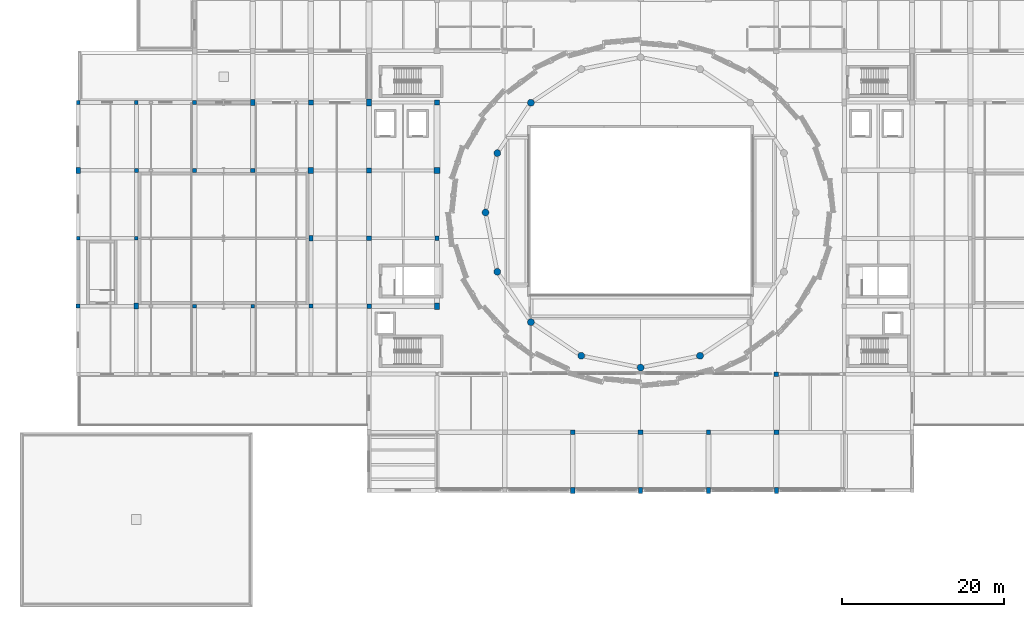
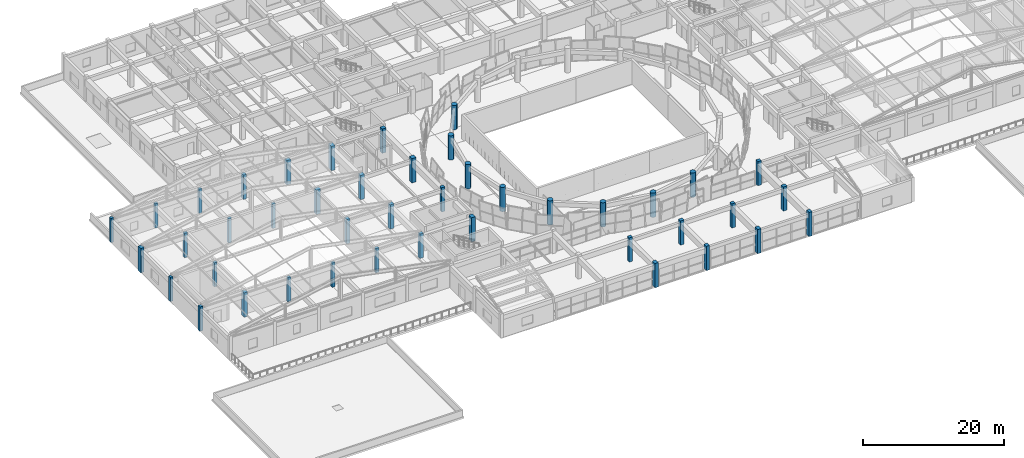
# One storey, part 3 of 74: 43 columns.
"""IFC4 building model written with IfcOpenShell, lengths in metres."""

from ifc_helpers import new_model, si_unit, direction, frame, origin, origin_2d, place, context, subcontext, project, spatial, rectangle, circle, extrude, material, material_profile, profile_set, type_object, element, save


model = new_model("IFC4")

# Units and contexts
model_context = context("Model", 3, precision=1e-05, world=origin(), true_north=direction((0.0, 1.0)))
body_context = subcontext(model_context, "Body", "Model", "MODEL_VIEW")
ifc_project = project(units=[si_unit("LENGTHUNIT", "METRE"), si_unit("AREAUNIT", "SQUARE_METRE"), si_unit("VOLUMEUNIT", "CUBIC_METRE"), si_unit("PLANEANGLEUNIT", "RADIAN"), si_unit("MASSUNIT", "GRAM", prefix="KILO")], contexts=[model_context])

# Site, building, storey
site_placement = place(None, origin())
site = spatial("IfcSite", under=ifc_project, at=site_placement, CompositionType="ELEMENT")
building_placement = place(site_placement, origin())
building = spatial("IfcBuilding", under=site, at=building_placement, Name="Korsvaeld Concert Hall", CompositionType="ELEMENT")
storey_placement = place(building_placement, frame((0.0, 0.0, 9.0)))
storey = spatial("IfcBuildingStorey", under=building, at=storey_placement, Name="L02", CompositionType="ELEMENT", Elevation=9.0)

# Columns
ifc_material = material(Name="Concrete C40/50", Category="concrete")
ifc_material_profile_1 = material_profile(ifc_material, circle(Radius=0.425048828125, at=origin_2d()), Name="RC D850")
ifc_profile_set_1 = profile_set([ifc_material_profile_1], Name="Concrete C40/50")
column_type_1 = type_object("IfcColumnType", Name="COL-DRUM-D850", PredefinedType="COLUMN", material=ifc_profile_set_1)
for number, where, z_axis, x_axis, name in (
    (1, (70.423583984375, 76.776611328125, 0.0), (0.0, 0.0, 1.0), (1.0, 0.0, 0.0), "Drum column D07 L02"),
    (2, (66.261474609375, 70.547607421875, 0.0), (0.0, 0.0, 1.0), (1.0, 0.0, 0.0), "Drum column D08 L02"),
    (3, (64.800048828125, 63.199951171875, 0.0), (0.0, 0.0, 1.0), (1.0, 0.0, 0.0), "Drum column D09 L02"),
    (4, (66.261474609375, 55.8525390625, 0.0), (0.0, 0.0, 1.0), (1.0, 0.0, 0.0), "Drum column D10 L02"),
    (5, (70.423583984375, 49.62353515625, 0.0), (0.0, 0.0, 1.0), (1.0, 0.0, 0.0), "Drum column D11 L02"),
    (6, (76.652587890625, 45.46142578125, 0.0), (0.0, 0.0, 1.0), (1.0, 0.0, 0.0), "Drum column D12 L02"),
    (7, (84.0, 44.0, 0.0), (0.0, 0.0, 1.0), (1.0, 0.0, 0.0), "Drum column D13 L02"),
    (8, (91.347412109375, 45.46142578125, 0.0), (0.0, 0.0, 1.0), (1.0, 0.0, 0.0), "Drum column D14 L02"),
):
    element("IfcColumn", number, at=place(storey_placement, frame(where, z_axis=z_axis, x_axis=x_axis)), inside=storey, type_object=column_type_1, Name=name, PredefinedType="COLUMN", context=body_context, shape_type="SweptSolid", body=[
        extrude(circle(Radius=0.425048828125, at=origin_2d()), origin(), (0.0, 0.0, 1.0), 4.199951171875),
    ])
ifc_material_profile_2 = material_profile(ifc_material, rectangle(XDim=0.449951171875, YDim=0.449951171875, at=origin_2d()), Name="RC 450x450")
ifc_profile_set_2 = profile_set([ifc_material_profile_2], Name="Concrete C40/50")
column_type_2 = type_object("IfcColumnType", Name="COL-RC-450x450", PredefinedType="COLUMN", material=ifc_profile_set_2)
for number, where, z_axis, x_axis, name in (
    (9, (14.39990234375, 60.0, 0.0), (0.0, 0.0, 1.0), (1.0, 0.0, 0.0), "Column 3/J L02"),
    (10, (14.39990234375, 76.800048828125, 0.0), (0.0, 0.0, 1.0), (1.0, 0.0, 0.0), "Column 3/L L02"),
    (11, (21.60009765625, 60.0, 0.0), (0.0, 0.0, 1.0), (1.0, 0.0, 0.0), "Column 4/J L02"),
    (12, (21.60009765625, 76.800048828125, 0.0), (0.0, 0.0, 1.0), (1.0, 0.0, 0.0), "Column 4/L L02"),
    (13, (28.800048828125, 51.60009765625, 0.0), (0.0, 0.0, 1.0), (1.0, 0.0, 0.0), "Column 5/H L02"),
    (14, (28.800048828125, 76.800048828125, 0.0), (0.0, 0.0, 1.0), (1.0, 0.0, 0.0), "Column 5/L L02"),
    (15, (36.0, 51.60009765625, 0.0), (0.0, 0.0, 1.0), (1.0, 0.0, 0.0), "Column 6/H L02"),
):
    element("IfcColumn", number, at=place(storey_placement, frame(where, z_axis=z_axis, x_axis=x_axis)), inside=storey, type_object=column_type_2, Name=name, PredefinedType="COLUMN", context=body_context, shape_type="SweptSolid", body=[
        extrude(rectangle(XDim=0.449951171875, YDim=0.449951171875, at=origin_2d()), origin(), (0.0, 0.0, 1.0), 4.199951171875),
    ])
ifc_material_profile_3 = material_profile(ifc_material, rectangle(XDim=0.5, YDim=0.5, at=origin_2d()), Name="RC 500x500")
ifc_profile_set_3 = profile_set([ifc_material_profile_3], Name="Concrete C40/50")
column_type_3 = type_object("IfcColumnType", Name="COL-RC-500x500", PredefinedType="COLUMN", material=ifc_profile_set_3)
for number, where, z_axis, x_axis, name in (
    (16, (14.39990234375, 51.60009765625, 0.0), (0.0, 0.0, 1.0), (1.0, 0.0, 0.0), "Column 3/H L02"),
    (17, (21.60009765625, 68.39990234375, 0.0), (0.0, 0.0, 1.0), (1.0, 0.0, 0.0), "Column 4/K L02"),
    (18, (28.800048828125, 68.39990234375, 0.0), (0.0, 0.0, 1.0), (1.0, 0.0, 0.0), "Column 5/K L02"),
    (19, (36.0, 68.39990234375, 0.0), (0.0, 0.0, 1.0), (1.0, 0.0, 0.0), "Column 6/K L02"),
    (20, (43.199951171875, 51.60009765625, 0.0), (0.0, 0.0, 1.0), (1.0, 0.0, 0.0), "Column 7/H L02"),
):
    element("IfcColumn", number, at=place(storey_placement, frame(where, z_axis=z_axis, x_axis=x_axis)), inside=storey, type_object=column_type_3, Name=name, PredefinedType="COLUMN", context=body_context, shape_type="SweptSolid", body=[
        extrude(rectangle(XDim=0.5, YDim=0.5, at=origin_2d()), origin(), (0.0, 0.0, 1.0), 4.199951171875),
    ])
ifc_material_profile_4 = material_profile(ifc_material, rectangle(XDim=0.5, YDim=0.699951171875, at=origin_2d()), Name="RC 500x700")
ifc_profile_set_4 = profile_set([ifc_material_profile_4], Name="Concrete C40/50")
column_type_4 = type_object("IfcColumnType", Name="COL-RC-500x700", PredefinedType="COLUMN", material=ifc_profile_set_4)
for number, where, z_axis, x_axis, name in (
    (21, (84.0, 28.800048828125, 0.0), (0.0, 0.0, 1.0), (1.0, 0.0, 0.0), "Column 12/E L02"),
    (22, (100.800048828125, 28.800048828125, 0.0), (0.0, 0.0, 1.0), (1.0, 0.0, 0.0), "Column 14/E L02"),
    (23, (36.0, 76.800048828125, 0.0), (0.0, 0.0, 1.0), (1.0, 0.0, 0.0), "Column 6/L L02"),
    (24, (43.199951171875, 60.0, 0.0), (0.0, 0.0, 1.0), (1.0, 0.0, 0.0), "Column 7/J L02"),
):
    element("IfcColumn", number, at=place(storey_placement, frame(where, z_axis=z_axis, x_axis=x_axis)), inside=storey, type_object=column_type_4, Name=name, PredefinedType="COLUMN", context=body_context, shape_type="SweptSolid", body=[
        extrude(rectangle(XDim=0.5, YDim=0.699951171875, at=origin_2d()), origin(), (0.0, 0.0, 1.0), 4.199951171875),
    ])
ifc_material_profile_5 = material_profile(ifc_material, rectangle(XDim=0.550048828125, YDim=0.550048828125, at=origin_2d()), Name="RC 550x550")
ifc_profile_set_5 = profile_set([ifc_material_profile_5], Name="Concrete C40/50")
column_type_5 = type_object("IfcColumnType", Name="COL-RC-550x550", PredefinedType="COLUMN", material=ifc_profile_set_5)
for number, where, z_axis, x_axis, name in (
    (25, (75.60009765625, 36.0, 0.0), (0.0, 0.0, 1.0), (1.0, 0.0, 0.0), "Column 11/F L02"),
    (26, (92.39990234375, 36.0, 0.0), (0.0, 0.0, 1.0), (1.0, 0.0, 0.0), "Column 13/F L02"),
    (27, (100.800048828125, 43.199951171875, 0.0), (0.0, 0.0, 1.0), (1.0, 0.0, 0.0), "Column 14/G L02"),
    (28, (50.39990234375, 51.60009765625, 0.0), (0.0, 0.0, 1.0), (1.0, 0.0, 0.0), "Column 8/H L02"),
    (29, (58.800048828125, 60.0, 0.0), (0.0, 0.0, 1.0), (1.0, 0.0, 0.0), "Column 9/J L02"),
):
    element("IfcColumn", number, at=place(storey_placement, frame(where, z_axis=z_axis, x_axis=x_axis)), inside=storey, type_object=column_type_5, Name=name, PredefinedType="COLUMN", context=body_context, shape_type="SweptSolid", body=[
        extrude(rectangle(XDim=0.550048828125, YDim=0.550048828125, at=origin_2d()), origin(), (0.0, 0.0, 1.0), 4.199951171875),
    ])
ifc_material_profile_6 = material_profile(ifc_material, rectangle(XDim=0.550048828125, YDim=0.75, at=origin_2d()), Name="RC 550x750")
ifc_profile_set_6 = profile_set([ifc_material_profile_6], Name="Concrete C40/50")
column_type_6 = type_object("IfcColumnType", Name="COL-RC-550x750", PredefinedType="COLUMN", material=ifc_profile_set_6)
for number, where, z_axis, x_axis, name in (
    (30, (75.60009765625, 28.800048828125, 0.0), (0.0, 0.0, 1.0), (1.0, 0.0, 0.0), "Column 11/E L02"),
    (31, (92.39990234375, 28.800048828125, 0.0), (0.0, 0.0, 1.0), (1.0, 0.0, 0.0), "Column 13/E L02"),
    (32, (14.39990234375, 68.39990234375, 0.0), (0.0, 0.0, 1.0), (1.0, 0.0, 0.0), "Column 3/K L02"),
    (33, (21.60009765625, 51.60009765625, 0.0), (0.0, 0.0, 1.0), (1.0, 0.0, 0.0), "Column 4/H L02"),
):
    element("IfcColumn", number, at=place(storey_placement, frame(where, z_axis=z_axis, x_axis=x_axis)), inside=storey, type_object=column_type_6, Name=name, PredefinedType="COLUMN", context=body_context, shape_type="SweptSolid", body=[
        extrude(rectangle(XDim=0.550048828125, YDim=0.75, at=origin_2d()), origin(), (0.0, 0.0, 1.0), 4.199951171875),
    ])
ifc_material_profile_7 = material_profile(ifc_material, rectangle(XDim=0.60009765625, YDim=0.60009765625, at=origin_2d()), Name="RC 600x600")
ifc_profile_set_7 = profile_set([ifc_material_profile_7], Name="Concrete C40/50")
column_type_7 = type_object("IfcColumnType", Name="COL-RC-600x600", PredefinedType="COLUMN", material=ifc_profile_set_7)
for number, where, z_axis, x_axis, name in (
    (34, (84.0, 36.0, 0.0), (0.0, 0.0, 1.0), (1.0, 0.0, 0.0), "Column 12/F L02"),
    (35, (100.800048828125, 36.0, 0.0), (0.0, 0.0, 1.0), (1.0, 0.0, 0.0), "Column 14/F L02"),
    (36, (50.39990234375, 60.0, 0.0), (0.0, 0.0, 1.0), (1.0, 0.0, 0.0), "Column 8/J L02"),
):
    element("IfcColumn", number, at=place(storey_placement, frame(where, z_axis=z_axis, x_axis=x_axis)), inside=storey, type_object=column_type_7, Name=name, PredefinedType="COLUMN", context=body_context, shape_type="SweptSolid", body=[
        extrude(rectangle(XDim=0.60009765625, YDim=0.60009765625, at=origin_2d()), origin(), (0.0, 0.0, 1.0), 4.199951171875),
    ])
ifc_material_profile_8 = material_profile(ifc_material, rectangle(XDim=0.60009765625, YDim=0.800048828125, at=origin_2d()), Name="RC 600x800")
ifc_profile_set_8 = profile_set([ifc_material_profile_8], Name="Concrete C40/50")
column_type_8 = type_object("IfcColumnType", Name="COL-RC-600x800", PredefinedType="COLUMN", material=ifc_profile_set_8)
column_1_placement = place(storey_placement, frame((58.800048828125, 51.60009765625, 0.0), z_axis=(0.0, 0.0, 1.0), x_axis=(1.0, 0.0, 0.0)))
element("IfcColumn", 37, at=column_1_placement, inside=storey, type_object=column_type_8, Name="Column 9/H L02", PredefinedType="COLUMN", context=body_context, shape_type="SweptSolid", body=[
    extrude(rectangle(XDim=0.60009765625, YDim=0.800048828125, at=origin_2d()), origin(), (0.0, 0.0, 1.0), 4.199951171875),
])
ifc_material_profile_9 = material_profile(ifc_material, rectangle(XDim=0.60009765625, YDim=0.89990234375, at=origin_2d()), Name="RC 600x900")
ifc_profile_set_9 = profile_set([ifc_material_profile_9], Name="Concrete C40/50")
column_type_9 = type_object("IfcColumnType", Name="COL-RC-600x900", PredefinedType="COLUMN", material=ifc_profile_set_9)
column_2_placement = place(storey_placement, frame((50.39990234375, 76.800048828125, 0.0), z_axis=(0.0, 0.0, 1.0), x_axis=(1.0, 0.0, 0.0)))
element("IfcColumn", 38, at=column_2_placement, inside=storey, type_object=column_type_9, Name="Column 8/L L02", PredefinedType="COLUMN", context=body_context, shape_type="SweptSolid", body=[
    extrude(rectangle(XDim=0.60009765625, YDim=0.89990234375, at=origin_2d()), origin(), (0.0, 0.0, 1.0), 4.199951171875),
])
ifc_material_profile_10 = material_profile(ifc_material, rectangle(XDim=0.64990234375, YDim=0.64990234375, at=origin_2d()), Name="RC 650x650")
ifc_profile_set_10 = profile_set([ifc_material_profile_10], Name="Concrete C40/50")
column_type_10 = type_object("IfcColumnType", Name="COL-RC-650x650", PredefinedType="COLUMN", material=ifc_profile_set_10)
for number, where, z_axis, x_axis, name in (
    (39, (43.199951171875, 76.800048828125, 0.0), (0.0, 0.0, 1.0), (1.0, 0.0, 0.0), "Column 7/L L02"),
    (40, (50.39990234375, 68.39990234375, 0.0), (0.0, 0.0, 1.0), (1.0, 0.0, 0.0), "Column 8/K L02"),
    (41, (58.800048828125, 76.800048828125, 0.0), (0.0, 0.0, 1.0), (1.0, 0.0, 0.0), "Column 9/L L02"),
):
    element("IfcColumn", number, at=place(storey_placement, frame(where, z_axis=z_axis, x_axis=x_axis)), inside=storey, type_object=column_type_10, Name=name, PredefinedType="COLUMN", context=body_context, shape_type="SweptSolid", body=[
        extrude(rectangle(XDim=0.64990234375, YDim=0.64990234375, at=origin_2d()), origin(), (0.0, 0.0, 1.0), 4.199951171875),
    ])
ifc_material_profile_11 = material_profile(ifc_material, rectangle(XDim=0.699951171875, YDim=0.699951171875, at=origin_2d()), Name="RC 700x700")
ifc_profile_set_11 = profile_set([ifc_material_profile_11], Name="Concrete C40/50")
column_type_11 = type_object("IfcColumnType", Name="COL-RC-700x700", PredefinedType="COLUMN", material=ifc_profile_set_11)
for number, where, z_axis, x_axis, name in (
    (42, (43.199951171875, 68.39990234375, 0.0), (0.0, 0.0, 1.0), (1.0, 0.0, 0.0), "Column 7/K L02"),
    (43, (58.800048828125, 68.39990234375, 0.0), (0.0, 0.0, 1.0), (1.0, 0.0, 0.0), "Column 9/K L02"),
):
    element("IfcColumn", number, at=place(storey_placement, frame(where, z_axis=z_axis, x_axis=x_axis)), inside=storey, type_object=column_type_11, Name=name, PredefinedType="COLUMN", context=body_context, shape_type="SweptSolid", body=[
        extrude(rectangle(XDim=0.699951171875, YDim=0.699951171875, at=origin_2d()), origin(), (0.0, 0.0, 1.0), 4.199951171875),
    ])

save(model, "model.ifc")
